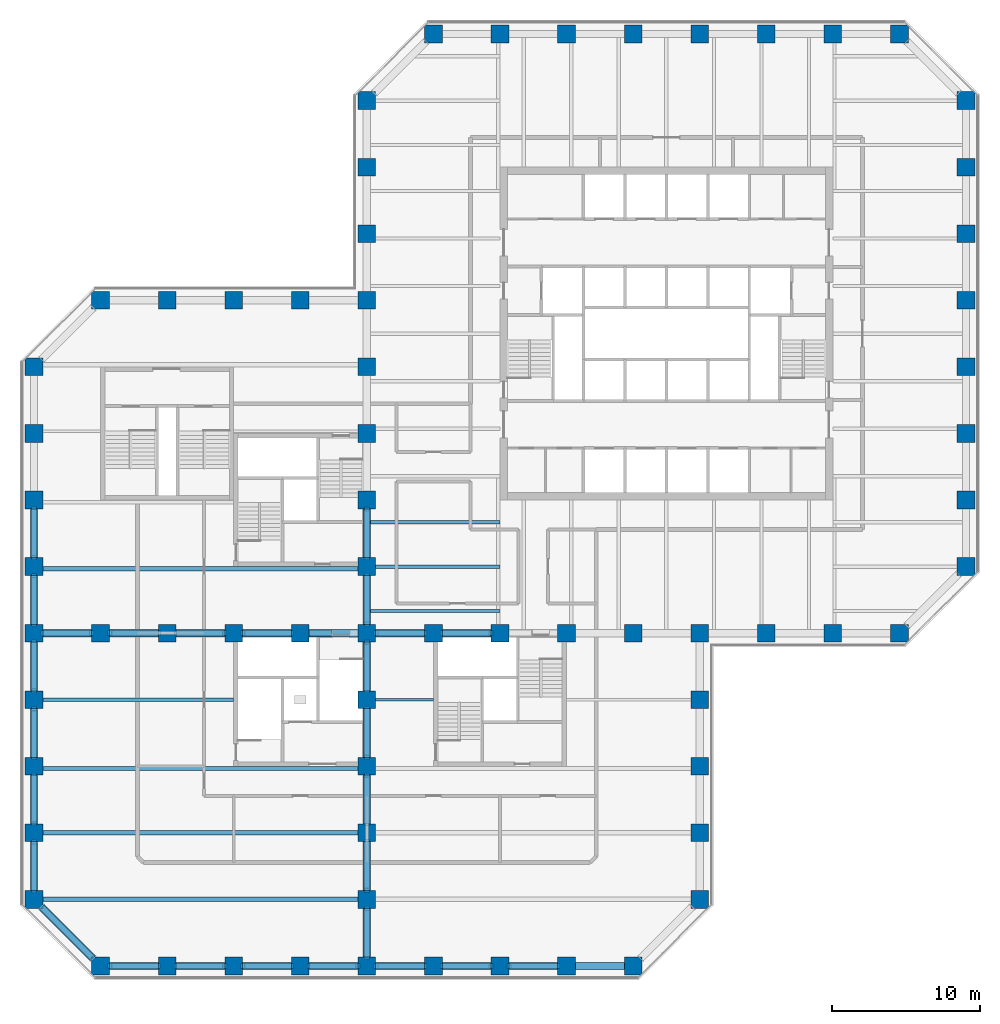
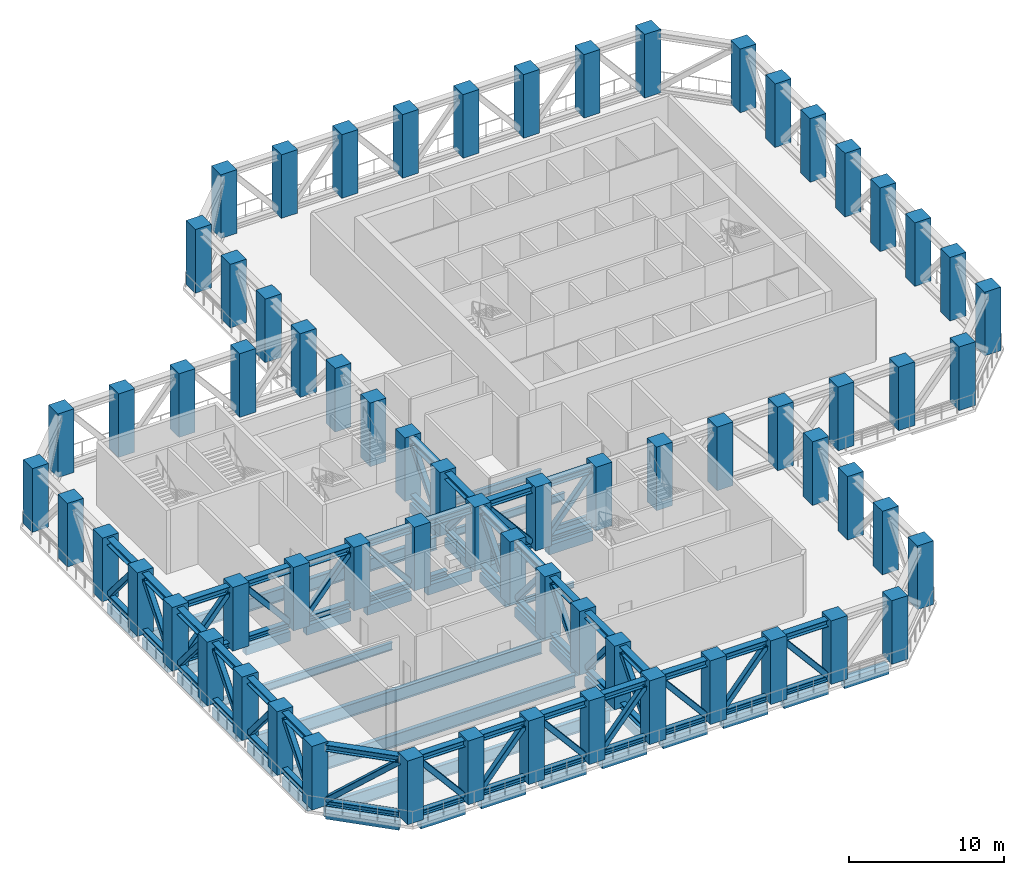
# One storey, part 1 of 16: 83 members, 67 columns, 38 beams.
"""IFC4 building model written with IfcOpenShell, lengths in metres."""

import ifcopenshell
import ifcopenshell.guid

model = None  # the IFC model being written
_history = None  # IfcOwnerHistory: only IFC2X3 demands one
_inside = {}  # id of a spatial element -> (the spatial element, [elements in it])
_under = {}  # id of a project, library or spatial element -> (it, [spatial elements below it])
_declared = {}  # id of a project -> (the project, [libraries it declares])
_typed = {}  # id of a type object -> (the type object, [elements of that type])
_made_of = {}  # id of a material, layer set ... -> (it, [elements and type objects made of it])


def new_model(schema):
    """Start an empty IFC model of exactly this schema.

    Asked for "IFC4X3", IfcOpenShell would pick the latest addendum, in which some entities
    have other attributes; the version numbers below select the first issue.
    IFC2X3 requires an IfcOwnerHistory on every rooted entity: one is made here for all.
    """
    global model, _history
    if schema == "IFC4X3":
        model = ifcopenshell.file(schema_version=(4, 3, 0, 0))
    else:
        model = ifcopenshell.file(schema=schema)
    _inside.clear()
    _under.clear()
    _declared.clear()
    _typed.clear()
    _made_of.clear()
    _history = None
    if model.schema == "IFC2X3":
        org = make("IfcOrganization", Name="unknown")
        user = make(
            "IfcPersonAndOrganization",
            ThePerson=make("IfcPerson", FamilyName="unknown"),
            TheOrganization=org,
        )
        app = make(
            "IfcApplication",
            ApplicationDeveloper=org,
            Version="unknown",
            ApplicationFullName="unknown",
            ApplicationIdentifier="unknown",
        )
        _history = make(
            "IfcOwnerHistory",
            OwningUser=user,
            OwningApplication=app,
            ChangeAction="ADDED",
            CreationDate=0,
        )
    return model


def make(cls, **values):
    """One entity of the class cls with the attributes given. An attribute that is None is left unset."""
    return model.create_entity(
        cls, **{name: value for name, value in values.items() if value is not None}
    )


def rooted(cls, **values):
    """An entity with a GlobalId (a new one), such as an element, a storey or a relation."""
    return make(cls, GlobalId=ifcopenshell.guid.new(), OwnerHistory=_history, **values)


def si_unit(unit_type, name, prefix=None):
    """IfcSIUnit, for example si_unit("LENGTHUNIT", "METRE", prefix="MILLI")."""
    return make("IfcSIUnit", UnitType=unit_type, Prefix=prefix, Name=name)


def assignment(units):
    """IfcUnitAssignment: the units of a project."""
    return None if units is None else make("IfcUnitAssignment", Units=units)


def point(xyz):
    """IfcCartesianPoint."""
    return None if xyz is None else make("IfcCartesianPoint", Coordinates=xyz)


def direction(xyz):
    """IfcDirection."""
    return None if xyz is None else make("IfcDirection", DirectionRatios=xyz)


def frame(location, z_axis=None, x_axis=None):
    """IfcAxis2Placement3D, a coordinate frame: its origin and axes. An axis left out is left unset."""
    return make(
        "IfcAxis2Placement3D",
        Location=point(location),
        Axis=direction(z_axis),
        RefDirection=direction(x_axis),
    )


def frame_2d(location, x_axis=None):
    """IfcAxis2Placement2D, a coordinate frame in the plane: its origin and x axis."""
    return make(
        "IfcAxis2Placement2D", Location=point(location), RefDirection=direction(x_axis)
    )


def origin():
    """The frame at (0, 0, 0) with its axes left unset."""
    return frame((0.0, 0.0, 0.0))


def origin_2d():
    """The frame at (0, 0) in the plane with its x axis left unset."""
    return frame_2d((0.0, 0.0))


def place(relative_to, where):
    """IfcLocalPlacement: puts the frame where relative to a parent placement (None: the world)."""
    return make(
        "IfcLocalPlacement", PlacementRelTo=relative_to, RelativePlacement=where
    )


def context(
    kind, dimensions, precision=None, world=None, true_north=None, identifier=None
):
    """IfcGeometricRepresentationContext, for example the 3D "Model" context."""
    return make(
        "IfcGeometricRepresentationContext",
        ContextIdentifier=identifier,
        ContextType=kind,
        CoordinateSpaceDimension=dimensions,
        Precision=precision,
        WorldCoordinateSystem=world,
        TrueNorth=true_north,
    )


def subcontext(parent, identifier, kind, view, scale=None):
    """IfcGeometricRepresentationSubContext, for example "Body" below "Model"."""
    return make(
        "IfcGeometricRepresentationSubContext",
        ContextIdentifier=identifier,
        ContextType=kind,
        ParentContext=parent,
        TargetScale=scale,
        TargetView=view,
    )


def project(units=None, contexts=None):
    """IfcProject with its units and contexts."""
    return rooted(
        "IfcProject",
        Name="project",
        RepresentationContexts=contexts,
        UnitsInContext=assignment(units),
    )


def spatial(cls, under=None, at=None, **own):
    """A site, building, storey or space (cls), placed at a placement, below another one or the project."""
    s = rooted(cls, ObjectPlacement=at, **own)
    if under is not None:
        _under.setdefault(under.id(), (under, []))[1].append(s)
    return s


def profile(cls, at=None, kind="AREA", **sizes):
    """A parametric profile (cls). Its sizes go by their IFC names, for example OverallWidth=200.0."""
    return make(cls, ProfileType=kind, Position=at, **sizes)


def rectangle(**sizes):
    """IfcRectangleProfileDef."""
    return profile("IfcRectangleProfileDef", **sizes)


def hollow_rectangle(**sizes):
    """IfcRectangleHollowProfileDef."""
    return profile("IfcRectangleHollowProfileDef", **sizes)


def i_section(**sizes):
    """IfcIShapeProfileDef."""
    return profile("IfcIShapeProfileDef", **sizes)


def extrude(swept, where, along, depth):
    """IfcExtrudedAreaSolid: the profile swept, set in the frame where, extruded along a direction by depth."""
    return make(
        "IfcExtrudedAreaSolid",
        SweptArea=swept,
        Position=where,
        ExtrudedDirection=direction(along),
        Depth=depth,
    )


def shape(context_of_items, identifier, shape_type, items):
    """IfcShapeRepresentation: the items that make up one representation, for example the "Body"."""
    return make(
        "IfcShapeRepresentation",
        ContextOfItems=context_of_items,
        RepresentationIdentifier=identifier,
        RepresentationType=shape_type,
        Items=items,
    )


def material(Name=None, Category=None):
    """IfcMaterial."""
    return make("IfcMaterial", Name=Name, Category=Category)


def material_profile(
    of_material, cross_section, Name=None, Category=None, Priority=None
):
    """IfcMaterialProfile: a cross section and its material."""
    return make(
        "IfcMaterialProfile",
        Name=Name,
        Material=of_material,
        Profile=cross_section,
        Priority=Priority,
        Category=Category,
    )


def profile_set(profiles, Name=None, composite=None):
    """IfcMaterialProfileSet."""
    return make(
        "IfcMaterialProfileSet",
        Name=Name,
        MaterialProfiles=profiles,
        CompositeProfile=composite,
    )


def made_of(thing, what):
    """Note that an element or type object is made of a material, layer set ...; save() writes the relation."""
    if what is not None:
        _made_of.setdefault(what.id(), (what, []))[1].append(thing)
    return thing


def type_object(cls, material=None, **own):
    """A type object (cls), such as IfcWallType, which elements share."""
    return made_of(rooted(cls, **own), material)


def element(
    cls,
    number,
    at=None,
    inside=None,
    cuts=None,
    type_object=None,
    material=None,
    context=None,
    identifier="Body",
    shape_type=None,
    held_by="IfcProductDefinitionShape",
    body=None,
    shapes=None,
    **own,
):
    """One element of the class cls, such as IfcWall. Its Tag is "e" and its number.

    at: its placement. inside: the storey or other place that contains it. cuts: it is an
    opening in that element (IfcRelVoidsElement). A single representation is given by context,
    identifier, shape_type and body (its items); several are given by shapes. held_by: the class
    of the entity that holds the representations. save() writes the other relations.
    """
    e = rooted(cls, Tag="e%d" % number, ObjectPlacement=at, **own)
    if body is not None:
        shapes = [shape(context, identifier, shape_type, body)]
    if shapes is not None:
        e.Representation = make(held_by, Representations=shapes)
    if inside is not None:
        _inside.setdefault(inside.id(), (inside, []))[1].append(e)
    if cuts is not None:
        rooted(
            "IfcRelVoidsElement", RelatingBuildingElement=cuts, RelatedOpeningElement=e
        )
    if type_object is not None:
        _typed.setdefault(type_object.id(), (type_object, []))[1].append(e)
    return made_of(e, material)


def aggregate(whole, parts):
    """IfcRelAggregates: a whole, such as a stair, and the parts it consists of."""
    return rooted("IfcRelAggregates", RelatingObject=whole, RelatedObjects=parts)


def save(model, path):
    """Write the relations noted so far, then the file.

    IfcRelAggregates (storeys below a building ...), IfcRelContainedInSpatialStructure (elements
    in a storey), IfcRelDefinesByType, IfcRelAssociatesMaterial and IfcRelDeclares: one each for
    every whole, place, type object, material and project.
    """
    for whole, parts in _under.values():
        aggregate(whole, parts)
    for where, things in _inside.values():
        rooted(
            "IfcRelContainedInSpatialStructure",
            RelatedElements=things,
            RelatingStructure=where,
        )
    for kind, things in _typed.values():
        rooted("IfcRelDefinesByType", RelatedObjects=things, RelatingType=kind)
    for what, things in _made_of.values():
        rooted("IfcRelAssociatesMaterial", RelatedObjects=things, RelatingMaterial=what)
    for by, libraries in _declared.values():
        rooted("IfcRelDeclares", RelatingContext=by, RelatedDefinitions=libraries)
    model.write(path)


model = new_model("IFC4")

# Units and contexts
model_context = context("Model", 3, precision=1e-05, world=origin(), true_north=direction((0.0, 1.0)))
body_context = subcontext(model_context, "Body", "Model", "MODEL_VIEW")
ifc_project = project(units=[si_unit("LENGTHUNIT", "METRE"), si_unit("AREAUNIT", "SQUARE_METRE"), si_unit("VOLUMEUNIT", "CUBIC_METRE"), si_unit("PLANEANGLEUNIT", "RADIAN"), si_unit("MASSUNIT", "GRAM", prefix="KILO")], contexts=[model_context])

# Site, building, storey
site_placement = place(None, origin())
site = spatial("IfcSite", under=ifc_project, at=site_placement, CompositionType="ELEMENT")
building_placement = place(site_placement, origin())
building = spatial("IfcBuilding", under=site, at=building_placement, Name="Quoin Convention Tower", CompositionType="ELEMENT")
storey_placement = place(building_placement, frame((0.0, 0.0, 69.300048828125)))
storey = spatial("IfcBuildingStorey", under=building, at=storey_placement, Name="L18", CompositionType="ELEMENT", Elevation=69.300048828125)

# Columns
ifc_material_1 = material(Name="Concrete C80", Category="concrete")
ifc_material_profile_1 = material_profile(ifc_material_1, rectangle(XDim=1.199951171875, YDim=1.199951171875, at=origin_2d()), Name="RC 1200x1200")
ifc_profile_set_1 = profile_set([ifc_material_profile_1], Name="Concrete C80")
column_type = type_object("IfcColumnType", Name="RC 1200x1200 C80", PredefinedType="COLUMN", material=ifc_profile_set_1)
for number, where, z_axis, x_axis, name in (
    (1, (18.0, 18.0, 0.0), (0.0, 0.0, 1.0), (1.0, 0.0, 0.0), "col-L18-18000_18000"),
    (2, (22.5, 18.0, 0.0), (0.0, 0.0, 1.0), (1.0, 0.0, 0.0), "col-L18-22500_18000"),
    (3, (27.0, 18.0, 0.0), (0.0, 0.0, 1.0), (1.0, 0.0, 0.0), "col-L18-27000_18000"),
    (4, (31.5, 18.0, 0.0), (0.0, 0.0, 1.0), (1.0, 0.0, 0.0), "col-L18-31500_18000"),
    (5, (36.0, 18.0, 0.0), (0.0, 0.0, 1.0), (1.0, 0.0, 0.0), "col-L18-36000_18000"),
    (6, (40.5, 18.0, 0.0), (0.0, 0.0, 1.0), (1.0, 0.0, 0.0), "col-L18-40500_18000"),
    (7, (45.0, 18.0, 0.0), (0.0, 0.0, 1.0), (1.0, 0.0, 0.0), "col-L18-45000_18000"),
    (8, (49.5, 18.0, 0.0), (0.0, 0.0, 1.0), (1.0, 0.0, 0.0), "col-L18-49500_18000"),
    (9, (54.0, 18.0, 0.0), (0.0, 0.0, 1.0), (1.0, 0.0, 0.0), "col-L18-54000_18000"),
    (10, (13.5, 22.5, 0.0), (0.0, 0.0, 1.0), (1.0, 0.0, 0.0), "col-L18-13500_22500"),
    (11, (36.0, 22.5, 0.0), (0.0, 0.0, 1.0), (1.0, 0.0, 0.0), "web-L18-36000_22500"),
    (12, (58.5, 22.5, 0.0), (0.0, 0.0, 1.0), (1.0, 0.0, 0.0), "col-L18-58500_22500"),
    (13, (13.5, 27.0, 0.0), (0.0, 0.0, 1.0), (1.0, 0.0, 0.0), "col-L18-13500_27000"),
    (14, (36.0, 27.0, 0.0), (0.0, 0.0, 1.0), (1.0, 0.0, 0.0), "web-L18-36000_27000"),
    (15, (58.5, 27.0, 0.0), (0.0, 0.0, 1.0), (1.0, 0.0, 0.0), "col-L18-58500_27000"),
    (16, (13.5, 31.5, 0.0), (0.0, 0.0, 1.0), (1.0, 0.0, 0.0), "col-L18-13500_31500"),
    (17, (36.0, 31.5, 0.0), (0.0, 0.0, 1.0), (1.0, 0.0, 0.0), "web-L18-36000_31500"),
    (18, (58.5, 31.5, 0.0), (0.0, 0.0, 1.0), (1.0, 0.0, 0.0), "col-L18-58500_31500"),
    (19, (13.5, 36.0, 0.0), (0.0, 0.0, 1.0), (1.0, 0.0, 0.0), "col-L18-13500_36000"),
    (20, (36.0, 36.0, 0.0), (0.0, 0.0, 1.0), (1.0, 0.0, 0.0), "web-L18-36000_36000"),
    (21, (58.5, 36.0, 0.0), (0.0, 0.0, 1.0), (1.0, 0.0, 0.0), "col-L18-58500_36000"),
    (22, (13.5, 40.5, 0.0), (0.0, 0.0, 1.0), (1.0, 0.0, 0.0), "col-L18-13500_40500"),
    (23, (18.0, 40.5, 0.0), (0.0, 0.0, 1.0), (1.0, 0.0, 0.0), "web-L18-18000_40500"),
    (24, (22.5, 40.5, 0.0), (0.0, 0.0, 1.0), (1.0, 0.0, 0.0), "web-L18-22500_40500"),
    (25, (27.0, 40.5, 0.0), (0.0, 0.0, 1.0), (1.0, 0.0, 0.0), "web-L18-27000_40500"),
    (26, (31.5, 40.5, 0.0), (0.0, 0.0, 1.0), (1.0, 0.0, 0.0), "web-L18-31500_40500"),
    (27, (36.0, 40.5, 0.0), (0.0, 0.0, 1.0), (1.0, 0.0, 0.0), "web-L18-36000_40500"),
    (28, (40.5, 40.5, 0.0), (0.0, 0.0, 1.0), (1.0, 0.0, 0.0), "web-L18-40500_40500"),
    (29, (45.0, 40.5, 0.0), (0.0, 0.0, 1.0), (1.0, 0.0, 0.0), "web-L18-45000_40500"),
    (30, (49.5, 40.5, 0.0), (0.0, 0.0, 1.0), (1.0, 0.0, 0.0), "web-L18-49500_40500"),
    (31, (54.0, 40.5, 0.0), (0.0, 0.0, 1.0), (1.0, 0.0, 0.0), "web-L18-54000_40500"),
    (32, (58.5, 40.5, 0.0), (0.0, 0.0, 1.0), (1.0, 0.0, 0.0), "col-L18-58500_40500"),
    (33, (63.0, 40.5, 0.0), (0.0, 0.0, 1.0), (1.0, 0.0, 0.0), "col-L18-63000_40500"),
    (34, (67.5, 40.5, 0.0), (0.0, 0.0, 1.0), (1.0, 0.0, 0.0), "col-L18-67500_40500"),
    (35, (72.0, 40.5, 0.0), (0.0, 0.0, 1.0), (1.0, 0.0, 0.0), "col-L18-72000_40500"),
    (36, (13.5, 45.0, 0.0), (0.0, 0.0, 1.0), (1.0, 0.0, 0.0), "col-L18-13500_45000"),
    (37, (36.0, 45.0, 0.0), (0.0, 0.0, 1.0), (1.0, 0.0, 0.0), "web-L18-36000_45000"),
    (38, (76.5, 45.0, 0.0), (0.0, 0.0, 1.0), (1.0, 0.0, 0.0), "col-L18-76500_45000"),
    (39, (13.5, 49.5, 0.0), (0.0, 0.0, 1.0), (1.0, 0.0, 0.0), "col-L18-13500_49500"),
    (40, (36.0, 49.5, 0.0), (0.0, 0.0, 1.0), (1.0, 0.0, 0.0), "web-L18-36000_49500"),
    (41, (76.5, 49.5, 0.0), (0.0, 0.0, 1.0), (1.0, 0.0, 0.0), "col-L18-76500_49500"),
    (42, (13.5, 54.0, 0.0), (0.0, 0.0, 1.0), (1.0, 0.0, 0.0), "col-L18-13500_54000"),
    (43, (36.0, 54.0, 0.0), (0.0, 0.0, 1.0), (1.0, 0.0, 0.0), "web-L18-36000_54000"),
    (44, (76.5, 54.0, 0.0), (0.0, 0.0, 1.0), (1.0, 0.0, 0.0), "col-L18-76500_54000"),
    (45, (13.5, 58.5, 0.0), (0.0, 0.0, 1.0), (1.0, 0.0, 0.0), "col-L18-13500_58500"),
    (46, (36.0, 58.5, 0.0), (0.0, 0.0, 1.0), (1.0, 0.0, 0.0), "web-L18-36000_58500"),
    (47, (76.5, 58.5, 0.0), (0.0, 0.0, 1.0), (1.0, 0.0, 0.0), "col-L18-76500_58500"),
    (48, (18.0, 63.0, 0.0), (0.0, 0.0, 1.0), (1.0, 0.0, 0.0), "col-L18-18000_63000"),
    (49, (22.5, 63.0, 0.0), (0.0, 0.0, 1.0), (1.0, 0.0, 0.0), "col-L18-22500_63000"),
    (50, (27.0, 63.0, 0.0), (0.0, 0.0, 1.0), (1.0, 0.0, 0.0), "col-L18-27000_63000"),
    (51, (31.5, 63.0, 0.0), (0.0, 0.0, 1.0), (1.0, 0.0, 0.0), "col-L18-31500_63000"),
    (52, (36.0, 63.0, 0.0), (0.0, 0.0, 1.0), (1.0, 0.0, 0.0), "col-L18-36000_63000"),
    (53, (76.5, 63.0, 0.0), (0.0, 0.0, 1.0), (1.0, 0.0, 0.0), "col-L18-76500_63000"),
    (54, (36.0, 67.5, 0.0), (0.0, 0.0, 1.0), (1.0, 0.0, 0.0), "col-L18-36000_67500"),
    (55, (76.5, 67.5, 0.0), (0.0, 0.0, 1.0), (1.0, 0.0, 0.0), "col-L18-76500_67500"),
    (56, (36.0, 72.0, 0.0), (0.0, 0.0, 1.0), (1.0, 0.0, 0.0), "col-L18-36000_72000"),
    (57, (76.5, 72.0, 0.0), (0.0, 0.0, 1.0), (1.0, 0.0, 0.0), "col-L18-76500_72000"),
    (58, (36.0, 76.5, 0.0), (0.0, 0.0, 1.0), (1.0, 0.0, 0.0), "col-L18-36000_76500"),
    (59, (76.5, 76.5, 0.0), (0.0, 0.0, 1.0), (1.0, 0.0, 0.0), "col-L18-76500_76500"),
    (60, (40.5, 81.0, 0.0), (0.0, 0.0, 1.0), (1.0, 0.0, 0.0), "col-L18-40500_81000"),
    (61, (45.0, 81.0, 0.0), (0.0, 0.0, 1.0), (1.0, 0.0, 0.0), "col-L18-45000_81000"),
    (62, (49.5, 81.0, 0.0), (0.0, 0.0, 1.0), (1.0, 0.0, 0.0), "col-L18-49500_81000"),
    (63, (54.0, 81.0, 0.0), (0.0, 0.0, 1.0), (1.0, 0.0, 0.0), "col-L18-54000_81000"),
    (64, (58.5, 81.0, 0.0), (0.0, 0.0, 1.0), (1.0, 0.0, 0.0), "col-L18-58500_81000"),
    (65, (63.0, 81.0, 0.0), (0.0, 0.0, 1.0), (1.0, 0.0, 0.0), "col-L18-63000_81000"),
    (66, (67.5, 81.0, 0.0), (0.0, 0.0, 1.0), (1.0, 0.0, 0.0), "col-L18-67500_81000"),
    (67, (72.0, 81.0, 0.0), (0.0, 0.0, 1.0), (1.0, 0.0, 0.0), "col-L18-72000_81000"),
):
    element("IfcColumn", number, at=place(storey_placement, frame(where, z_axis=z_axis, x_axis=x_axis)), inside=storey, type_object=column_type, Name=name, PredefinedType="COLUMN", context=body_context, shape_type="SweptSolid", body=[
        extrude(rectangle(XDim=1.199951171875, YDim=1.199951171875, at=origin_2d()), origin(), (0.0, 0.0, 1.0), 5.0),
    ])

# Beams
ifc_material_2 = material(Name="Steel Grade 300", Category="steel")
ifc_material_profile_2 = material_profile(ifc_material_2, i_section(OverallWidth=0.300048828125, OverallDepth=1.0, WebThickness=0.01611328125, FlangeThickness=0.02001953125, at=origin_2d()), Name="1000WB215")
ifc_profile_set_2 = profile_set([ifc_material_profile_2], Name="Steel Grade 300")
beam_type_1 = type_object("IfcBeamType", Name="1000WB215", PredefinedType="BEAM", material=ifc_profile_set_2)
for number, where, z_axis, x_axis, name in (
    (68, (14.10009765625, 22.5, -0.719970703125), (1.0, 0.0, 0.0), (0.0, 1.0, 0.0), "gir-L18-ST4-1-0"),
    (69, (14.10009765625, 27.0, -0.719970703125), (1.0, 0.0, 0.0), (0.0, 1.0, 0.0), "gir-L18-ST4-2-0"),
    (70, (14.10009765625, 31.35009765625, -0.719970703125), (1.0, 0.0, 0.0), (0.0, 1.0, 0.0), "gir-L18-ST4-3-0"),
    (71, (14.10009765625, 44.85009765625, -0.719970703125), (1.0, 0.0, 0.0), (0.0, 1.0, 0.0), "gir-L18-ST2-1-0"),
):
    element("IfcBeam", number, at=place(storey_placement, frame(where, z_axis=z_axis, x_axis=x_axis)), inside=storey, type_object=beam_type_1, Name=name, PredefinedType="BEAM", context=body_context, shape_type="SweptSolid", body=[
        extrude(i_section(OverallWidth=0.300048828125, OverallDepth=1.0, WebThickness=0.01611328125, FlangeThickness=0.02001953125, at=origin_2d()), origin(), (0.0, 0.0, 1.0), 21.2998046875),
    ])

# Members
ifc_material_profile_3 = material_profile(ifc_material_2, i_section(OverallWidth=0.39990234375, OverallDepth=0.422119140625, WebThickness=0.028076171875, FlangeThickness=0.035888671875, at=origin_2d()), Name="400WC303")
ifc_profile_set_3 = profile_set([ifc_material_profile_3], Name="Steel Grade 300")
member_type_1 = type_object("IfcMemberType", Name="400WC303", PredefinedType="CHORD", material=ifc_profile_set_3)
member_1_placement = place(storey_placement, frame((14.01513671875, 21.98486328125, 0.2109375), z_axis=(0.707106781187, -0.707106781187, 0.0), x_axis=(0.707106781187, 0.707106781187, 0.0)))
element("IfcMember", 72, at=member_1_placement, inside=storey, type_object=member_type_1, Name="Belt truss L18 bottom chord 13500_22500-18000_18000", PredefinedType="CHORD", context=body_context, shape_type="SweptSolid", body=[
    extrude(i_section(OverallWidth=0.39990234375, OverallDepth=0.422119140625, WebThickness=0.028076171875, FlangeThickness=0.035888671875, at=origin_2d()), origin(), (0.0, 0.0, 1.0), 4.906982421875),
])
for number, where, z_axis, x_axis, name in (
    (73, (18.60009765625, 18.0, 0.2109375), (1.0, 0.0, 0.0), (0.0, 1.0, 0.0), "Belt truss L18 bottom chord 18000_18000-22500_18000"),
    (74, (23.10009765625, 18.0, 0.2109375), (1.0, 0.0, 0.0), (0.0, 1.0, 0.0), "Belt truss L18 bottom chord 22500_18000-27000_18000"),
    (75, (27.60009765625, 18.0, 0.2109375), (1.0, 0.0, 0.0), (0.0, 1.0, 0.0), "Belt truss L18 bottom chord 27000_18000-31500_18000"),
    (76, (32.10009765625, 18.0, 0.2109375), (1.0, 0.0, 0.0), (0.0, 1.0, 0.0), "Belt truss L18 bottom chord 31500_18000-36000_18000"),
    (77, (36.60009765625, 18.0, 0.2109375), (1.0, 0.0, 0.0), (0.0, 1.0, 0.0), "Belt truss L18 bottom chord 36000_18000-40500_18000"),
    (78, (41.10009765625, 18.0, 0.2109375), (1.0, 0.0, 0.0), (0.0, 1.0, 0.0), "Belt truss L18 bottom chord 40500_18000-45000_18000"),
    (79, (45.60009765625, 18.0, 0.2109375), (1.0, 0.0, 0.0), (0.0, 1.0, 0.0), "Belt truss L18 bottom chord 45000_18000-49500_18000"),
    (80, (13.5, 48.89990234375, 0.2109375), (0.0, -1.0, 0.0), (1.0, 0.0, 0.0), "Belt truss L18 bottom chord 13500_49500-13500_45000"),
    (81, (13.5, 44.39990234375, 0.2109375), (0.0, -1.0, 0.0), (1.0, 0.0, 0.0), "Belt truss L18 bottom chord 13500_45000-13500_40500"),
    (82, (13.5, 39.89990234375, 0.2109375), (0.0, -1.0, 0.0), (1.0, 0.0, 0.0), "Belt truss L18 bottom chord 13500_40500-13500_36000"),
    (83, (13.5, 35.39990234375, 0.2109375), (0.0, -1.0, 0.0), (1.0, 0.0, 0.0), "Belt truss L18 bottom chord 13500_36000-13500_31500"),
    (84, (13.5, 30.89990234375, 0.2109375), (0.0, -1.0, 0.0), (1.0, 0.0, 0.0), "Belt truss L18 bottom chord 13500_31500-13500_27000"),
    (85, (13.5, 26.39990234375, 0.2109375), (0.0, -1.0, 0.0), (1.0, 0.0, 0.0), "Belt truss L18 bottom chord 13500_27000-13500_22500"),
    (86, (14.10009765625, 40.5, 0.2109375), (1.0, 0.0, 0.0), (0.0, 1.0, 0.0), "Belt truss L18 bottom chord 13500_40500-18000_40500"),
    (87, (18.60009765625, 40.5, 0.2109375), (1.0, 0.0, 0.0), (0.0, 1.0, 0.0), "Belt truss L18 bottom chord 18000_40500-22500_40500"),
    (88, (23.10009765625, 40.5, 0.2109375), (1.0, 0.0, 0.0), (0.0, 1.0, 0.0), "Belt truss L18 bottom chord 22500_40500-27000_40500"),
    (89, (27.60009765625, 40.5, 0.2109375), (1.0, 0.0, 0.0), (0.0, 1.0, 0.0), "Belt truss L18 bottom chord 27000_40500-31500_40500"),
    (90, (36.60009765625, 40.5, 0.2109375), (1.0, 0.0, 0.0), (0.0, 1.0, 0.0), "Belt truss L18 bottom chord 36000_40500-40500_40500"),
    (91, (41.10009765625, 40.5, 0.2109375), (1.0, 0.0, 0.0), (0.0, 1.0, 0.0), "Belt truss L18 bottom chord 40500_40500-45000_40500"),
    (92, (36.0, 18.60009765625, 0.2109375), (0.0, 1.0, 0.0), (-1.0, 0.0, 0.0), "Belt truss L18 bottom chord 36000_18000-36000_22500"),
    (93, (36.0, 23.10009765625, 0.2109375), (0.0, 1.0, 0.0), (-1.0, 0.0, 0.0), "Belt truss L18 bottom chord 36000_22500-36000_27000"),
    (94, (36.0, 27.60009765625, 0.2109375), (0.0, 1.0, 0.0), (-1.0, 0.0, 0.0), "Belt truss L18 bottom chord 36000_27000-36000_31500"),
    (95, (36.0, 32.10009765625, 0.2109375), (0.0, 1.0, 0.0), (-1.0, 0.0, 0.0), "Belt truss L18 bottom chord 36000_31500-36000_36000"),
    (96, (36.0, 36.60009765625, 0.2109375), (0.0, 1.0, 0.0), (-1.0, 0.0, 0.0), "Belt truss L18 bottom chord 36000_36000-36000_40500"),
    (97, (36.0, 41.10009765625, 0.2109375), (0.0, 1.0, 0.0), (-1.0, 0.0, 0.0), "Belt truss L18 bottom chord 36000_40500-36000_45000"),
    (98, (36.0, 45.60009765625, 0.2109375), (0.0, 1.0, 0.0), (-1.0, 0.0, 0.0), "Belt truss L18 bottom chord 36000_45000-36000_49500"),
):
    element("IfcMember", number, at=place(storey_placement, frame(where, z_axis=z_axis, x_axis=x_axis)), inside=storey, type_object=member_type_1, Name=name, PredefinedType="CHORD", context=body_context, shape_type="SweptSolid", body=[
        extrude(i_section(OverallWidth=0.39990234375, OverallDepth=0.422119140625, WebThickness=0.028076171875, FlangeThickness=0.035888671875, at=origin_2d()), origin(), (0.0, 0.0, 1.0), 3.2998046875),
    ])
member_2_placement = place(storey_placement, frame((32.10009765625, 40.5, 0.2109375), z_axis=(1.0, 0.0, 0.0), x_axis=(0.0, 1.0, 0.0)))
element("IfcMember", 99, at=member_2_placement, inside=storey, type_object=member_type_1, Name="Belt truss L18 bottom chord 31500_40500-36000_40500", PredefinedType="CHORD", context=body_context, shape_type="SweptSolid", body=[
    extrude(i_section(OverallWidth=0.39990234375, OverallDepth=0.422119140625, WebThickness=0.028076171875, FlangeThickness=0.035888671875, at=origin_2d()), origin(), (0.0, 0.0, 1.0), 1.5498046875),
])
ifc_material_3 = material(Name="Steel C450L0", Category="steel")
ifc_material_profile_4 = material_profile(ifc_material_3, hollow_rectangle(XDim=0.39990234375, YDim=0.39990234375, WallThickness=0.01611328125, InnerFilletRadius=0.02392578125, OuterFilletRadius=0.0400390625, at=origin_2d()), Name="400x400x16.0SHS")
ifc_profile_set_4 = profile_set([ifc_material_profile_4], Name="Steel C450L0")
member_type_2 = type_object("IfcMemberType", Name="400x400x16.0SHS", PredefinedType="BRACE", material=ifc_profile_set_4)
member_3_placement = place(storey_placement, frame((14.01513671875, 21.98486328125, 0.421875), z_axis=(0.552788206144, -0.552788206144, 0.623578702568), x_axis=(0.707106781187, 0.707106781187, 0.0)))
element("IfcMember", 100, at=member_3_placement, inside=storey, type_object=member_type_2, Name="Belt truss L18 diagonal 13500_22500-18000_18000", PredefinedType="BRACE", context=body_context, shape_type="SweptSolid", body=[
    extrude(hollow_rectangle(XDim=0.39990234375, YDim=0.39990234375, WallThickness=0.01611328125, InnerFilletRadius=0.02392578125, OuterFilletRadius=0.0400390625, at=origin_2d()), origin(), (0.0, 0.0, 1.0), 6.27685546875),
])
for number, where, z_axis, x_axis, name in (
    (101, (21.89990234375, 18.0, 0.421875), (-0.644564459061, 0.0, 0.764549970973), (0.0, -1.0, 0.0), "Belt truss L18 diagonal 18000_18000-22500_18000"),
    (102, (23.10009765625, 18.0, 0.421875), (0.644564459061, 0.0, 0.764549970973), (0.0, 1.0, 0.0), "Belt truss L18 diagonal 22500_18000-27000_18000"),
    (103, (30.89990234375, 18.0, 0.421875), (-0.644564459061, 0.0, 0.764549970973), (0.0, -1.0, 0.0), "Belt truss L18 diagonal 27000_18000-31500_18000"),
    (104, (32.10009765625, 18.0, 0.421875), (0.644564459061, 0.0, 0.764549970973), (0.0, 1.0, 0.0), "Belt truss L18 diagonal 31500_18000-36000_18000"),
    (105, (39.89990234375, 18.0, 0.421875), (-0.644564459061, 0.0, 0.764549970973), (0.0, -1.0, 0.0), "Belt truss L18 diagonal 36000_18000-40500_18000"),
    (106, (41.10009765625, 18.0, 0.421875), (0.644564459061, 0.0, 0.764549970973), (0.0, 1.0, 0.0), "Belt truss L18 diagonal 40500_18000-45000_18000"),
    (107, (48.89990234375, 18.0, 0.421875), (-0.644564459061, 0.0, 0.764549970973), (0.0, -1.0, 0.0), "Belt truss L18 diagonal 45000_18000-49500_18000"),
    (108, (13.5, 48.89990234375, 0.421875), (0.0, -0.644564459061, 0.764549970973), (1.0, 0.0, 0.0), "Belt truss L18 diagonal 13500_49500-13500_45000"),
    (109, (13.5, 41.10009765625, 0.421875), (0.0, 0.644564459061, 0.764549970973), (-1.0, 0.0, 0.0), "Belt truss L18 diagonal 13500_45000-13500_40500"),
    (110, (13.5, 39.89990234375, 0.421875), (0.0, -0.644564459061, 0.764549970973), (1.0, 0.0, 0.0), "Belt truss L18 diagonal 13500_40500-13500_36000"),
    (111, (13.5, 32.10009765625, 0.421875), (0.0, 0.644564459061, 0.764549970973), (-1.0, 0.0, 0.0), "Belt truss L18 diagonal 13500_36000-13500_31500"),
    (112, (13.5, 30.89990234375, 0.421875), (0.0, -0.644564459061, 0.764549970973), (1.0, 0.0, 0.0), "Belt truss L18 diagonal 13500_31500-13500_27000"),
    (113, (13.5, 23.10009765625, 0.421875), (0.0, 0.644564459061, 0.764549970973), (-1.0, 0.0, 0.0), "Belt truss L18 diagonal 13500_27000-13500_22500"),
    (114, (14.10009765625, 40.5, 0.421875), (0.644564459061, 0.0, 0.764549970973), (0.0, 1.0, 0.0), "Belt truss L18 diagonal 13500_40500-18000_40500"),
    (115, (21.89990234375, 40.5, 0.421875), (-0.644564459061, 0.0, 0.764549970973), (0.0, -1.0, 0.0), "Belt truss L18 diagonal 18000_40500-22500_40500"),
    (116, (23.10009765625, 40.5, 0.421875), (0.644564459061, 0.0, 0.764549970973), (0.0, 1.0, 0.0), "Belt truss L18 diagonal 22500_40500-27000_40500"),
    (117, (30.89990234375, 40.5, 0.421875), (-0.644564459061, 0.0, 0.764549970973), (0.0, -1.0, 0.0), "Belt truss L18 diagonal 27000_40500-31500_40500"),
    (118, (39.89990234375, 40.5, 0.421875), (-0.644564459061, 0.0, 0.764549970973), (0.0, -1.0, 0.0), "Belt truss L18 diagonal 36000_40500-40500_40500"),
    (119, (41.10009765625, 40.5, 0.421875), (0.644564459061, 0.0, 0.764549970973), (0.0, 1.0, 0.0), "Belt truss L18 diagonal 40500_40500-45000_40500"),
    (120, (36.0, 18.60009765625, 0.421875), (0.0, 0.644564459061, 0.764549970973), (-1.0, 0.0, 0.0), "Belt truss L18 diagonal 36000_18000-36000_22500"),
    (121, (36.0, 26.39990234375, 0.421875), (0.0, -0.644564459061, 0.764549970973), (1.0, 0.0, 0.0), "Belt truss L18 diagonal 36000_22500-36000_27000"),
    (122, (36.0, 27.60009765625, 0.421875), (0.0, 0.644564459061, 0.764549970973), (-1.0, 0.0, 0.0), "Belt truss L18 diagonal 36000_27000-36000_31500"),
    (123, (36.0, 35.39990234375, 0.421875), (0.0, -0.644564459061, 0.764549970973), (1.0, 0.0, 0.0), "Belt truss L18 diagonal 36000_31500-36000_36000"),
    (124, (36.0, 36.60009765625, 0.421875), (0.0, 0.644564459061, 0.764549970973), (-1.0, 0.0, 0.0), "Belt truss L18 diagonal 36000_36000-36000_40500"),
    (125, (36.0, 44.39990234375, 0.421875), (0.0, -0.644564459061, 0.764549970973), (1.0, 0.0, 0.0), "Belt truss L18 diagonal 36000_40500-36000_45000"),
    (126, (36.0, 45.60009765625, 0.421875), (0.0, 0.644564459061, 0.764549970973), (-1.0, 0.0, 0.0), "Belt truss L18 diagonal 36000_45000-36000_49500"),
):
    element("IfcMember", number, at=place(storey_placement, frame(where, z_axis=z_axis, x_axis=x_axis)), inside=storey, type_object=member_type_2, Name=name, PredefinedType="BRACE", context=body_context, shape_type="SweptSolid", body=[
        extrude(hollow_rectangle(XDim=0.39990234375, YDim=0.39990234375, WallThickness=0.01611328125, InnerFilletRadius=0.02392578125, OuterFilletRadius=0.0400390625, at=origin_2d()), origin(), (0.0, 0.0, 1.0), 5.119384765625),
    ])

# Beam
ifc_material_profile_5 = material_profile(ifc_material_2, i_section(OverallWidth=0.18994140625, OverallDepth=0.4541015625, WebThickness=0.008544921875, FlangeThickness=0.0126953125, FilletRadius=0.011474609375, at=origin_2d()), Name="460UB67.1")
ifc_profile_set_5 = profile_set([ifc_material_profile_5], Name="Steel Grade 300")
beam_type_2 = type_object("IfcBeamType", Name="460UB67.1", PredefinedType="BEAM", material=ifc_profile_set_5)
beam_1_placement = place(storey_placement, frame((36.60009765625, 36.0, -0.447021484375), z_axis=(1.0, 0.0, 0.0), x_axis=(0.0, 1.0, 0.0)))
element("IfcBeam", 127, at=beam_1_placement, inside=storey, type_object=beam_type_2, Name="gir-L18-ST3-4-0", PredefinedType="BEAM", context=body_context, shape_type="SweptSolid", body=[
    extrude(i_section(OverallWidth=0.18994140625, OverallDepth=0.4541015625, WebThickness=0.008544921875, FlangeThickness=0.0126953125, FilletRadius=0.011474609375, at=origin_2d()), origin(), (0.0, 0.0, 1.0), 3.89990234375),
])

# Members
ifc_material_profile_6 = material_profile(ifc_material_2, i_section(OverallWidth=0.5, OverallDepth=0.513916015625, WebThickness=0.02490234375, FlangeThickness=0.031982421875, at=origin_2d()), Name="500WC340")
ifc_profile_set_6 = profile_set([ifc_material_profile_6], Name="Steel Grade 300")
member_type_3 = type_object("IfcMemberType", Name="500WC340", PredefinedType="CHORD", material=ifc_profile_set_6)
member_4_placement = place(storey_placement, frame((14.01513671875, 21.98486328125, 4.593017578125), z_axis=(0.707106781187, -0.707106781187, 0.0), x_axis=(0.707106781187, 0.707106781187, 0.0)))
element("IfcMember", 128, at=member_4_placement, inside=storey, type_object=member_type_3, Name="Belt truss L18 top chord 13500_22500-18000_18000", PredefinedType="CHORD", context=body_context, shape_type="SweptSolid", body=[
    extrude(i_section(OverallWidth=0.5, OverallDepth=0.513916015625, WebThickness=0.02490234375, FlangeThickness=0.031982421875, at=origin_2d()), origin(), (0.0, 0.0, 1.0), 4.906982421875),
])
for number, where, z_axis, x_axis, name in (
    (129, (18.60009765625, 18.0, 4.593017578125), (1.0, 0.0, 0.0), (0.0, 1.0, 0.0), "Belt truss L18 top chord 18000_18000-22500_18000"),
    (130, (23.10009765625, 18.0, 4.593017578125), (1.0, 0.0, 0.0), (0.0, 1.0, 0.0), "Belt truss L18 top chord 22500_18000-27000_18000"),
    (131, (27.60009765625, 18.0, 4.593017578125), (1.0, 0.0, 0.0), (0.0, 1.0, 0.0), "Belt truss L18 top chord 27000_18000-31500_18000"),
    (132, (32.10009765625, 18.0, 4.593017578125), (1.0, 0.0, 0.0), (0.0, 1.0, 0.0), "Belt truss L18 top chord 31500_18000-36000_18000"),
    (133, (36.60009765625, 18.0, 4.593017578125), (1.0, 0.0, 0.0), (0.0, 1.0, 0.0), "Belt truss L18 top chord 36000_18000-40500_18000"),
    (134, (41.10009765625, 18.0, 4.593017578125), (1.0, 0.0, 0.0), (0.0, 1.0, 0.0), "Belt truss L18 top chord 40500_18000-45000_18000"),
    (135, (45.60009765625, 18.0, 4.593017578125), (1.0, 0.0, 0.0), (0.0, 1.0, 0.0), "Belt truss L18 top chord 45000_18000-49500_18000"),
    (136, (13.5, 48.89990234375, 4.593017578125), (0.0, -1.0, 0.0), (1.0, 0.0, 0.0), "Belt truss L18 top chord 13500_49500-13500_45000"),
    (137, (13.5, 44.39990234375, 4.593017578125), (0.0, -1.0, 0.0), (1.0, 0.0, 0.0), "Belt truss L18 top chord 13500_45000-13500_40500"),
    (138, (13.5, 39.89990234375, 4.593017578125), (0.0, -1.0, 0.0), (1.0, 0.0, 0.0), "Belt truss L18 top chord 13500_40500-13500_36000"),
    (139, (13.5, 35.39990234375, 4.593017578125), (0.0, -1.0, 0.0), (1.0, 0.0, 0.0), "Belt truss L18 top chord 13500_36000-13500_31500"),
    (140, (13.5, 30.89990234375, 4.593017578125), (0.0, -1.0, 0.0), (1.0, 0.0, 0.0), "Belt truss L18 top chord 13500_31500-13500_27000"),
    (141, (13.5, 26.39990234375, 4.593017578125), (0.0, -1.0, 0.0), (1.0, 0.0, 0.0), "Belt truss L18 top chord 13500_27000-13500_22500"),
    (142, (14.10009765625, 40.5, 4.593017578125), (1.0, 0.0, 0.0), (0.0, 1.0, 0.0), "Belt truss L18 top chord 13500_40500-18000_40500"),
    (143, (18.60009765625, 40.5, 4.593017578125), (1.0, 0.0, 0.0), (0.0, 1.0, 0.0), "Belt truss L18 top chord 18000_40500-22500_40500"),
    (144, (23.10009765625, 40.5, 4.593017578125), (1.0, 0.0, 0.0), (0.0, 1.0, 0.0), "Belt truss L18 top chord 22500_40500-27000_40500"),
    (145, (27.60009765625, 40.5, 4.593017578125), (1.0, 0.0, 0.0), (0.0, 1.0, 0.0), "Belt truss L18 top chord 27000_40500-31500_40500"),
    (146, (32.10009765625, 40.5, 4.593017578125), (1.0, 0.0, 0.0), (0.0, 1.0, 0.0), "Belt truss L18 top chord 31500_40500-36000_40500"),
    (147, (36.60009765625, 40.5, 4.593017578125), (1.0, 0.0, 0.0), (0.0, 1.0, 0.0), "Belt truss L18 top chord 36000_40500-40500_40500"),
    (148, (41.10009765625, 40.5, 4.593017578125), (1.0, 0.0, 0.0), (0.0, 1.0, 0.0), "Belt truss L18 top chord 40500_40500-45000_40500"),
    (149, (36.0, 18.60009765625, 4.593017578125), (0.0, 1.0, 0.0), (-1.0, 0.0, 0.0), "Belt truss L18 top chord 36000_18000-36000_22500"),
    (150, (36.0, 23.10009765625, 4.593017578125), (0.0, 1.0, 0.0), (-1.0, 0.0, 0.0), "Belt truss L18 top chord 36000_22500-36000_27000"),
    (151, (36.0, 27.60009765625, 4.593017578125), (0.0, 1.0, 0.0), (-1.0, 0.0, 0.0), "Belt truss L18 top chord 36000_27000-36000_31500"),
    (152, (36.0, 32.10009765625, 4.593017578125), (0.0, 1.0, 0.0), (-1.0, 0.0, 0.0), "Belt truss L18 top chord 36000_31500-36000_36000"),
    (153, (36.0, 36.60009765625, 4.593017578125), (0.0, 1.0, 0.0), (-1.0, 0.0, 0.0), "Belt truss L18 top chord 36000_36000-36000_40500"),
    (154, (36.0, 41.10009765625, 4.593017578125), (0.0, 1.0, 0.0), (-1.0, 0.0, 0.0), "Belt truss L18 top chord 36000_40500-36000_45000"),
    (155, (36.0, 45.60009765625, 4.593017578125), (0.0, 1.0, 0.0), (-1.0, 0.0, 0.0), "Belt truss L18 top chord 36000_45000-36000_49500"),
):
    element("IfcMember", number, at=place(storey_placement, frame(where, z_axis=z_axis, x_axis=x_axis)), inside=storey, type_object=member_type_3, Name=name, PredefinedType="CHORD", context=body_context, shape_type="SweptSolid", body=[
        extrude(i_section(OverallWidth=0.5, OverallDepth=0.513916015625, WebThickness=0.02490234375, FlangeThickness=0.031982421875, at=origin_2d()), origin(), (0.0, 0.0, 1.0), 3.2998046875),
    ])

# Beams
ifc_material_profile_7 = material_profile(ifc_material_2, i_section(OverallWidth=0.22802734375, OverallDepth=0.60205078125, WebThickness=0.010498046875, FlangeThickness=0.014892578125, FilletRadius=0.013916015625, at=origin_2d()), Name="610UB101")
ifc_profile_set_7 = profile_set([ifc_material_profile_7], Name="Steel Grade 300")
beam_type_3 = type_object("IfcBeamType", Name="610UB101", PredefinedType="BEAM", material=ifc_profile_set_7)
beam_2_placement = place(storey_placement, frame((36.25, 42.0, -0.52099609375), z_axis=(1.0, 0.0, 0.0), x_axis=(0.0, 1.0, 0.0)))
element("IfcBeam", 156, at=beam_2_placement, inside=storey, type_object=beam_type_3, Name="bm-L18-T1SW0", PredefinedType="BEAM", context=body_context, shape_type="SweptSolid", body=[
    extrude(i_section(OverallWidth=0.22802734375, OverallDepth=0.60205078125, WebThickness=0.010498046875, FlangeThickness=0.014892578125, FilletRadius=0.013916015625, at=origin_2d()), origin(), (0.0, 0.0, 1.0), 8.75),
])
beam_3_placement = place(storey_placement, frame((36.60009765625, 45.0, -0.52099609375), z_axis=(1.0, 0.0, 0.0), x_axis=(0.0, 1.0, 0.0)))
element("IfcBeam", 157, at=beam_3_placement, inside=storey, type_object=beam_type_3, Name="bm-L18-T1SW1", PredefinedType="BEAM", context=body_context, shape_type="SweptSolid", body=[
    extrude(i_section(OverallWidth=0.22802734375, OverallDepth=0.60205078125, WebThickness=0.010498046875, FlangeThickness=0.014892578125, FilletRadius=0.013916015625, at=origin_2d()), origin(), (0.0, 0.0, 1.0), 8.39990234375),
])
beam_4_placement = place(storey_placement, frame((36.25, 48.0, -0.52099609375), z_axis=(1.0, 0.0, 0.0), x_axis=(0.0, 1.0, 0.0)))
element("IfcBeam", 158, at=beam_4_placement, inside=storey, type_object=beam_type_3, Name="bm-L18-T1SW2", PredefinedType="BEAM", context=body_context, shape_type="SweptSolid", body=[
    extrude(i_section(OverallWidth=0.22802734375, OverallDepth=0.60205078125, WebThickness=0.010498046875, FlangeThickness=0.014892578125, FilletRadius=0.013916015625, at=origin_2d()), origin(), (0.0, 0.0, 1.0), 8.75),
])
beam_5_placement = place(storey_placement, frame((14.10009765625, 36.0, -0.52099609375), z_axis=(1.0, 0.0, 0.0), x_axis=(0.0, 1.0, 0.0)))
element("IfcBeam", 159, at=beam_5_placement, inside=storey, type_object=beam_type_3, Name="gir-L18-ST4-4-0", PredefinedType="BEAM", context=body_context, shape_type="SweptSolid", body=[
    extrude(i_section(OverallWidth=0.22802734375, OverallDepth=0.60205078125, WebThickness=0.010498046875, FlangeThickness=0.014892578125, FilletRadius=0.013916015625, at=origin_2d()), origin(), (0.0, 0.0, 1.0), 12.89990234375),
])
ifc_material_profile_8 = material_profile(ifc_material_1, rectangle(XDim=0.5, YDim=0.75, at=origin_2d()), Name="RC 500x750")
ifc_profile_set_8 = profile_set([ifc_material_profile_8], Name="Concrete C80")
beam_type_4 = type_object("IfcBeamType", Name="RC 500x750 C80", PredefinedType="SPANDREL", material=ifc_profile_set_8)
beam_6_placement = place(storey_placement, frame((14.01513671875, 21.98486328125, -0.594970703125), z_axis=(0.707106781187, -0.707106781187, 0.0), x_axis=(0.707106781187, 0.707106781187, 0.0)))
element("IfcBeam", 160, at=beam_6_placement, inside=storey, type_object=beam_type_4, Name="spd-L18-13500_22500-18000_18000", PredefinedType="SPANDREL", context=body_context, shape_type="SweptSolid", body=[
    extrude(rectangle(XDim=0.5, YDim=0.75, at=origin_2d()), origin(), (0.0, 0.0, 1.0), 4.906982421875),
])
for number, where, z_axis, x_axis, name in (
    (161, (18.60009765625, 18.0, -0.594970703125), (1.0, 0.0, 0.0), (0.0, 1.0, 0.0), "spd-L18-18000_18000-22500_18000"),
    (162, (23.10009765625, 18.0, -0.594970703125), (1.0, 0.0, 0.0), (0.0, 1.0, 0.0), "spd-L18-22500_18000-27000_18000"),
    (163, (27.60009765625, 18.0, -0.594970703125), (1.0, 0.0, 0.0), (0.0, 1.0, 0.0), "spd-L18-27000_18000-31500_18000"),
    (164, (32.10009765625, 18.0, -0.594970703125), (1.0, 0.0, 0.0), (0.0, 1.0, 0.0), "spd-L18-31500_18000-36000_18000"),
    (165, (36.60009765625, 18.0, -0.594970703125), (1.0, 0.0, 0.0), (0.0, 1.0, 0.0), "spd-L18-36000_18000-40500_18000"),
    (166, (41.10009765625, 18.0, -0.594970703125), (1.0, 0.0, 0.0), (0.0, 1.0, 0.0), "spd-L18-40500_18000-45000_18000"),
    (167, (45.60009765625, 18.0, -0.594970703125), (1.0, 0.0, 0.0), (0.0, 1.0, 0.0), "spd-L18-45000_18000-49500_18000"),
    (168, (50.10009765625, 18.0, -0.594970703125), (1.0, 0.0, 0.0), (0.0, 1.0, 0.0), "spd-L18-49500_18000-54000_18000"),
    (169, (13.5, 48.89990234375, -0.594970703125), (0.0, -1.0, 0.0), (1.0, 0.0, 0.0), "spd-L18-13500_49500-13500_45000"),
    (170, (13.5, 44.39990234375, -0.594970703125), (0.0, -1.0, 0.0), (1.0, 0.0, 0.0), "spd-L18-13500_45000-13500_40500"),
    (171, (13.5, 39.89990234375, -0.594970703125), (0.0, -1.0, 0.0), (1.0, 0.0, 0.0), "spd-L18-13500_40500-13500_36000"),
    (172, (13.5, 35.39990234375, -0.594970703125), (0.0, -1.0, 0.0), (1.0, 0.0, 0.0), "spd-L18-13500_36000-13500_31500"),
    (173, (13.5, 30.89990234375, -0.594970703125), (0.0, -1.0, 0.0), (1.0, 0.0, 0.0), "spd-L18-13500_31500-13500_27000"),
    (174, (13.5, 26.39990234375, -0.594970703125), (0.0, -1.0, 0.0), (1.0, 0.0, 0.0), "spd-L18-13500_27000-13500_22500"),
    (175, (14.10009765625, 40.5, -0.594970703125), (1.0, 0.0, 0.0), (0.0, 1.0, 0.0), "spd-L18-13500_40500-18000_40500"),
    (176, (18.60009765625, 40.5, -0.594970703125), (1.0, 0.0, 0.0), (0.0, 1.0, 0.0), "spd-L18-18000_40500-22500_40500"),
    (177, (23.10009765625, 40.5, -0.594970703125), (1.0, 0.0, 0.0), (0.0, 1.0, 0.0), "spd-L18-22500_40500-27000_40500"),
    (178, (27.60009765625, 40.5, -0.594970703125), (1.0, 0.0, 0.0), (0.0, 1.0, 0.0), "spd-L18-27000_40500-31500_40500"),
    (179, (32.10009765625, 40.5, -0.594970703125), (1.0, 0.0, 0.0), (0.0, 1.0, 0.0), "spd-L18-31500_40500-36000_40500"),
    (180, (36.60009765625, 40.5, -0.594970703125), (1.0, 0.0, 0.0), (0.0, 1.0, 0.0), "spd-L18-36000_40500-40500_40500"),
    (181, (41.10009765625, 40.5, -0.594970703125), (1.0, 0.0, 0.0), (0.0, 1.0, 0.0), "spd-L18-40500_40500-45000_40500"),
    (182, (36.0, 18.60009765625, -0.594970703125), (0.0, 1.0, 0.0), (-1.0, 0.0, 0.0), "spd-L18-36000_18000-36000_22500"),
    (183, (36.0, 23.10009765625, -0.594970703125), (0.0, 1.0, 0.0), (-1.0, 0.0, 0.0), "spd-L18-36000_22500-36000_27000"),
    (184, (36.0, 27.60009765625, -0.594970703125), (0.0, 1.0, 0.0), (-1.0, 0.0, 0.0), "spd-L18-36000_27000-36000_31500"),
    (185, (36.0, 32.10009765625, -0.594970703125), (0.0, 1.0, 0.0), (-1.0, 0.0, 0.0), "spd-L18-36000_31500-36000_36000"),
    (186, (36.0, 36.60009765625, -0.594970703125), (0.0, 1.0, 0.0), (-1.0, 0.0, 0.0), "spd-L18-36000_36000-36000_40500"),
    (187, (36.0, 41.10009765625, -0.594970703125), (0.0, 1.0, 0.0), (-1.0, 0.0, 0.0), "spd-L18-36000_40500-36000_45000"),
    (188, (36.0, 45.60009765625, -0.594970703125), (0.0, 1.0, 0.0), (-1.0, 0.0, 0.0), "spd-L18-36000_45000-36000_49500"),
):
    element("IfcBeam", number, at=place(storey_placement, frame(where, z_axis=z_axis, x_axis=x_axis)), inside=storey, type_object=beam_type_4, Name=name, PredefinedType="SPANDREL", context=body_context, shape_type="SweptSolid", body=[
        extrude(rectangle(XDim=0.5, YDim=0.75, at=origin_2d()), origin(), (0.0, 0.0, 1.0), 3.2998046875),
    ])

save(model, "model.ifc")
